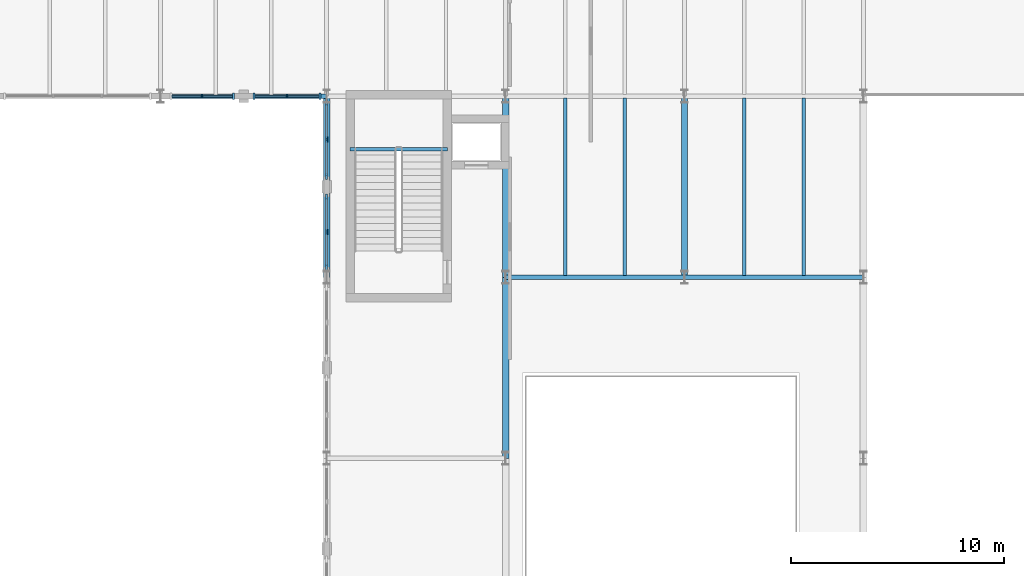
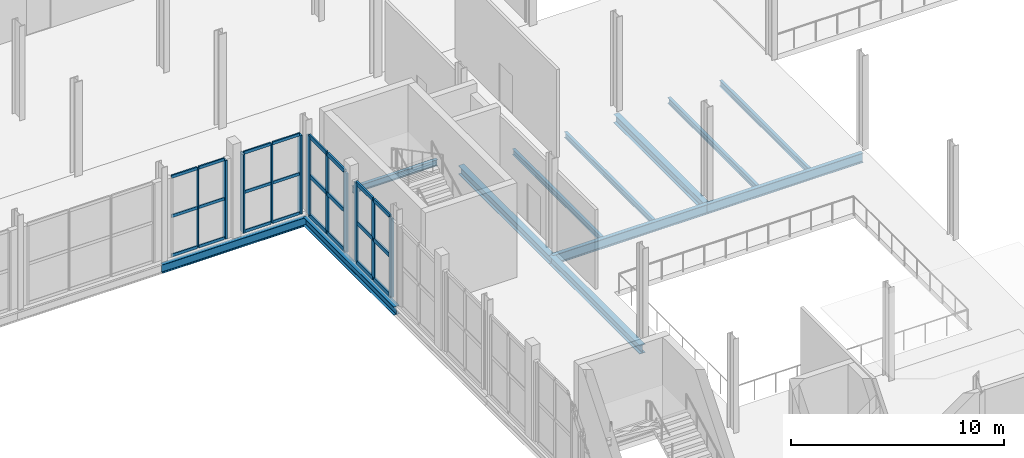
# One storey, part 32 of 78: 35 members, 12 beams, 4 elements without a shape of their own.
"""IFC4 building model written with IfcOpenShell, lengths in metres."""

from ifc_helpers import new_model, si_unit, direction, frame, origin, origin_2d, place, context, subcontext, project, spatial, rectangle, i_section, extrude, material, layer, layer_set, material_profile, profile_set, type_object, element, aggregate, save


model = new_model("IFC4")

# Units and contexts
model_context = context("Model", 3, precision=1e-05, world=origin(), true_north=direction((0.0, 1.0)))
body_context = subcontext(model_context, "Body", "Model", "MODEL_VIEW")
ifc_project = project(units=[si_unit("LENGTHUNIT", "METRE"), si_unit("AREAUNIT", "SQUARE_METRE"), si_unit("VOLUMEUNIT", "CUBIC_METRE"), si_unit("PLANEANGLEUNIT", "RADIAN"), si_unit("MASSUNIT", "GRAM", prefix="KILO")], contexts=[model_context])

# Site, building, storey
site_placement = place(None, origin())
site = spatial("IfcSite", under=ifc_project, at=site_placement, CompositionType="ELEMENT")
building_placement = place(site_placement, origin())
building = spatial("IfcBuilding", under=site, at=building_placement, Name="Sefraquen Railside Congress Hotel", CompositionType="ELEMENT")
storey_placement = place(building_placement, frame((0.0, 0.0, 6.0)))
storey = spatial("IfcBuildingStorey", under=building, at=storey_placement, Name="L01", CompositionType="ELEMENT", Elevation=6.0)

# Beams
ifc_material_1 = material(Name="Steel S355JR", Category="steel")
ifc_material_profile_1 = material_profile(ifc_material_1, i_section(OverallWidth=0.169921875, OverallDepth=0.360107421875, WebThickness=0.008056640625, FlangeThickness=0.0126953125, FilletRadius=0.01806640625, at=origin_2d()), Name="IPE 360")
ifc_profile_set_1 = profile_set([ifc_material_profile_1], Name="Steel S355JR")
beam_type_1 = type_object("IfcBeamType", Name="TB-BM-360", PredefinedType="BEAM", material=ifc_profile_set_1)
beam_1_placement = place(storey_placement, frame((104.300048828125, 85.52001953125, 2.320068359375), z_axis=(1.0, 0.0, 0.0), x_axis=(0.0, 1.0, 0.0)))
element("IfcBeam", 1, at=beam_1_placement, inside=storey, type_object=beam_type_1, Name="Stair ST-M01 L01 mid-landing corbel beam", PredefinedType="BEAM", context=body_context, shape_type="SweptSolid", body=[
    extrude(i_section(OverallWidth=0.169921875, OverallDepth=0.360107421875, WebThickness=0.008056640625, FlangeThickness=0.0126953125, FilletRadius=0.01806640625, at=origin_2d()), origin(), (0.0, 0.0, 1.0), 4.56005859375),
])
ifc_material_profile_2 = material_profile(ifc_material_1, i_section(OverallWidth=0.199951171875, OverallDepth=0.5, WebThickness=0.01025390625, FlangeThickness=0.01611328125, FilletRadius=0.02099609375, at=origin_2d()), Name="IPE 500")
ifc_profile_set_2 = profile_set([ifc_material_profile_2], Name="Steel S355JR")
beam_type_2 = type_object("IfcBeamType", Name="TB-BM-500", PredefinedType="BEAM", material=ifc_profile_set_2)
beam_2_placement = place(storey_placement, frame((95.39990234375, 88.0, -0.550048828125), z_axis=(1.0, 0.0, 0.0), x_axis=(0.0, 1.0, 0.0)))
element("IfcBeam", 2, at=beam_2_placement, inside=storey, type_object=beam_type_2, Name="Primary girder BM-L01-0445", PredefinedType="BEAM", context=body_context, shape_type="SweptSolid", body=[
    extrude(i_section(OverallWidth=0.199951171875, OverallDepth=0.5, WebThickness=0.01025390625, FlangeThickness=0.01611328125, FilletRadius=0.02099609375, at=origin_2d()), origin(), (0.0, 0.0, 1.0), 7.800048828125),
])
ifc_material_profile_3 = material_profile(ifc_material_1, i_section(OverallWidth=0.300048828125, OverallDepth=0.489990234375, WebThickness=0.011962890625, FlangeThickness=0.02294921875, FilletRadius=0.027099609375, at=origin_2d()), Name="HEA 500")
ifc_profile_set_3 = profile_set([ifc_material_profile_3], Name="Steel S355JR")
beam_type_3 = type_object("IfcBeamType", Name="TB-GIR-500", PredefinedType="T_BEAM", material=ifc_profile_set_3)
for number, where, z_axis, x_axis, name in (
    (3, (103.199951171875, 79.5, -0.544921875), (0.0, 1.0, 0.0), (-1.0, 0.0, 0.0), "Floor beam BM-L01-0612"),
    (4, (111.60009765625, 71.0, -0.544921875), (0.0, 1.0, 0.0), (-1.0, 0.0, 0.0), "Floor beam BM-L01-0619"),
    (5, (111.60009765625, 79.5, -0.544921875), (0.0, 1.0, 0.0), (-1.0, 0.0, 0.0), "Floor beam BM-L01-0620"),
    (6, (120.0, 79.5, -0.544921875), (0.0, 1.0, 0.0), (-1.0, 0.0, 0.0), "Floor beam BM-L01-0631"),
):
    element("IfcBeam", number, at=place(storey_placement, frame(where, z_axis=z_axis, x_axis=x_axis)), inside=storey, type_object=beam_type_3, Name=name, PredefinedType="T_BEAM", context=body_context, shape_type="SweptSolid", body=[
        extrude(i_section(OverallWidth=0.300048828125, OverallDepth=0.489990234375, WebThickness=0.011962890625, FlangeThickness=0.02294921875, FilletRadius=0.027099609375, at=origin_2d()), origin(), (0.0, 0.0, 1.0), 8.5),
    ])
ifc_material_profile_4 = material_profile(ifc_material_1, i_section(OverallWidth=0.2099609375, OverallDepth=0.550048828125, WebThickness=0.010986328125, FlangeThickness=0.01708984375, FilletRadius=0.02392578125, at=origin_2d()), Name="IPE 550")
ifc_profile_set_4 = profile_set([ifc_material_profile_4], Name="Steel S355JR")
beam_type_4 = type_object("IfcBeamType", Name="TB-GIR-550", PredefinedType="T_BEAM", material=ifc_profile_set_4)
for number, where, z_axis, x_axis, name in (
    (7, (111.60009765625, 79.5, -0.574951171875), (1.0, 0.0, 0.0), (0.0, 1.0, 0.0), "Primary girder BM-L01-0432"),
    (8, (120.0, 79.5, -0.574951171875), (1.0, 0.0, 0.0), (0.0, 1.0, 0.0), "Primary girder BM-L01-0433"),
):
    element("IfcBeam", number, at=place(storey_placement, frame(where, z_axis=z_axis, x_axis=x_axis)), inside=storey, type_object=beam_type_4, Name=name, PredefinedType="T_BEAM", context=body_context, shape_type="SweptSolid", body=[
        extrude(i_section(OverallWidth=0.2099609375, OverallDepth=0.550048828125, WebThickness=0.010986328125, FlangeThickness=0.01708984375, FilletRadius=0.02392578125, at=origin_2d()), origin(), (0.0, 0.0, 1.0), 8.39990234375),
    ])
ifc_material_profile_5 = material_profile(ifc_material_1, i_section(OverallWidth=0.159912109375, OverallDepth=0.330078125, WebThickness=0.007568359375, FlangeThickness=0.011474609375, FilletRadius=0.01806640625, at=origin_2d()), Name="IPE 330")
ifc_profile_set_5 = profile_set([ifc_material_profile_5], Name="Steel S355JR")
beam_type_5 = type_object("IfcBeamType", Name="TB-JST-330", PredefinedType="JOIST", material=ifc_profile_set_5)
for number, where, z_axis, x_axis, name in (
    (9, (114.39990234375, 79.5849609375, -0.465087890625), (0.0, 1.0, 0.0), (-1.0, 0.0, 0.0), "Composite floor joist BM-L01-J0364"),
    (10, (117.199951171875, 79.5849609375, -0.465087890625), (0.0, 1.0, 0.0), (-1.0, 0.0, 0.0), "Composite floor joist BM-L01-J0365"),
    (11, (122.800048828125, 79.5849609375, -0.465087890625), (0.0, 1.0, 0.0), (-1.0, 0.0, 0.0), "Composite floor joist BM-L01-J0386"),
    (12, (125.60009765625, 79.5849609375, -0.465087890625), (0.0, 1.0, 0.0), (-1.0, 0.0, 0.0), "Composite floor joist BM-L01-J0387"),
):
    element("IfcBeam", number, at=place(storey_placement, frame(where, z_axis=z_axis, x_axis=x_axis)), inside=storey, type_object=beam_type_5, Name=name, PredefinedType="JOIST", context=body_context, shape_type="SweptSolid", body=[
        extrude(i_section(OverallWidth=0.159912109375, OverallDepth=0.330078125, WebThickness=0.007568359375, FlangeThickness=0.011474609375, FilletRadius=0.01806640625, at=origin_2d()), origin(), (0.0, 0.0, 1.0), 8.330078125),
    ])

# Curtain wall, member
ifc_material_2 = material(Name="Thermally broken anodised aluminium and low-E double glazing", Category="aluminium")
ifc_layer_1 = layer(ifc_material_2, 0.199951171875)
ifc_layer_set_1 = layer_set([ifc_layer_1], Name="Thermally broken anodised aluminium and low-E double glazing")
curtain_wall_type_1 = type_object("IfcCurtainWallType", Name="TCW-UCW-12", PredefinedType="USERDEFINED", material=ifc_layer_set_1)
curtain_wall_1_placement = place(storey_placement, origin())
curtain_wall_1 = element("IfcCurtainWall", 13, at=curtain_wall_1_placement, inside=storey, type_object=curtain_wall_type_1, Name="Courtyard north gallery curtain wall L01-3 bay 3", ObjectType="UNITISED CURTAIN WALL", PredefinedType="USERDEFINED")
ifc_material_3 = material(Name="Thermally broken anodised aluminium 6063-T6", Category="aluminium")
ifc_material_profile_6 = material_profile(ifc_material_3, rectangle(XDim=0.06494140625, YDim=0.179931640625, at=origin_2d()), Name="CWM 65x180")
ifc_profile_set_6 = profile_set([ifc_material_profile_6], Name="Thermally broken anodised aluminium 6063-T6")
member_type_1 = type_object("IfcMemberType", Name="TM-CWM-02", PredefinedType="MULLION", material=ifc_profile_set_6)
member_1_placement = place(storey_placement, frame((97.35009765625, 88.0, 0.0), z_axis=(0.0, 0.0, 1.0), x_axis=(1.0, 0.0, 0.0)))
member_1 = element("IfcMember", 14, at=member_1_placement, type_object=member_type_1, Name="CW-L01-044-S3 mullion 2", PredefinedType="MULLION", context=body_context, shape_type="SweptSolid", body=[
    extrude(rectangle(XDim=0.06494140625, YDim=0.179931640625, at=origin_2d()), origin(), (0.0, 0.0, 1.0), 4.5),
])

curtain_wall_2_placement = place(storey_placement, origin())
curtain_wall_2 = element("IfcCurtainWall", 15, at=curtain_wall_2_placement, inside=storey, type_object=curtain_wall_type_1, Name="Courtyard north gallery curtain wall L01-3 bay 4", ObjectType="UNITISED CURTAIN WALL", PredefinedType="USERDEFINED")
member_2_placement = place(storey_placement, frame((101.3349609375, 88.0, 0.0), z_axis=(0.0, 0.0, 1.0), x_axis=(1.0, 0.0, 0.0)))
member_2 = element("IfcMember", 16, at=member_2_placement, type_object=member_type_1, Name="CW-L01-044-S4 mullion 2", PredefinedType="MULLION", context=body_context, shape_type="SweptSolid", body=[
    extrude(rectangle(XDim=0.06494140625, YDim=0.179931640625, at=origin_2d()), origin(), (0.0, 0.0, 1.0), 4.5),
])

ifc_layer_2 = layer(ifc_material_2, 0.199951171875)
ifc_layer_set_2 = layer_set([ifc_layer_2], Name="Thermally broken anodised aluminium and low-E double glazing")
curtain_wall_type_2 = type_object("IfcCurtainWallType", Name="TCW-UCW-16", PredefinedType="USERDEFINED", material=ifc_layer_set_2)
curtain_wall_3_placement = place(storey_placement, origin())
curtain_wall_3 = element("IfcCurtainWall", 17, at=curtain_wall_3_placement, inside=storey, type_object=curtain_wall_type_2, Name="Courtyard east gallery curtain wall L01 bay 3", ObjectType="UNITISED CURTAIN WALL", PredefinedType="USERDEFINED")
ifc_material_profile_7 = material_profile(ifc_material_3, rectangle(XDim=0.0849609375, YDim=0.260009765625, at=origin_2d()), Name="CWM 85x260")
ifc_profile_set_7 = profile_set([ifc_material_profile_7], Name="Thermally broken anodised aluminium 6063-T6")
member_type_2 = type_object("IfcMemberType", Name="TM-CWM-06", PredefinedType="MULLION", material=ifc_profile_set_7)
member_3_placement = place(storey_placement, frame((103.199951171875, 81.625, 0.0), z_axis=(0.0, 0.0, 1.0), x_axis=(1.0, 0.0, 0.0)))
member_3 = element("IfcMember", 18, at=member_3_placement, type_object=member_type_2, Name="CW-L01-048-S3 mullion 2", PredefinedType="MULLION", context=body_context, shape_type="SweptSolid", body=[
    extrude(rectangle(XDim=0.0849609375, YDim=0.260009765625, at=origin_2d()), origin(), (0.0, 0.0, 1.0), 4.5),
])

curtain_wall_4_placement = place(storey_placement, origin())
curtain_wall_4 = element("IfcCurtainWall", 19, at=curtain_wall_4_placement, inside=storey, type_object=curtain_wall_type_2, Name="Courtyard east gallery curtain wall L01 bay 4", ObjectType="UNITISED CURTAIN WALL", PredefinedType="USERDEFINED")
member_4_placement = place(storey_placement, frame((103.199951171875, 85.9599609375, 0.0), z_axis=(0.0, 0.0, 1.0), x_axis=(1.0, 0.0, 0.0)))
member_4 = element("IfcMember", 20, at=member_4_placement, type_object=member_type_2, Name="CW-L01-048-S4 mullion 2", PredefinedType="MULLION", context=body_context, shape_type="SweptSolid", body=[
    extrude(rectangle(XDim=0.0849609375, YDim=0.260009765625, at=origin_2d()), origin(), (0.0, 0.0, 1.0), 4.5),
])

# Member
ifc_material_profile_8 = material_profile(ifc_material_3, rectangle(XDim=0.094970703125, YDim=0.300048828125, at=origin_2d()), Name="CWM 95x300")
ifc_profile_set_8 = profile_set([ifc_material_profile_8], Name="Thermally broken anodised aluminium 6063-T6")
member_type_3 = type_object("IfcMemberType", Name="TM-CWM-08", PredefinedType="MULLION", material=ifc_profile_set_8)
member_5_placement = place(storey_placement, frame((98.820068359375, 88.0, 0.0), z_axis=(0.0, 0.0, 1.0), x_axis=(1.0, 0.0, 0.0)))
member_5 = element("IfcMember", 21, at=member_5_placement, type_object=member_type_3, Name="CW-L01-044-S3 mullion 3", PredefinedType="MULLION", context=body_context, shape_type="SweptSolid", body=[
    extrude(rectangle(XDim=0.094970703125, YDim=0.300048828125, at=origin_2d()), origin(), (0.0, 0.0, 1.0), 4.5),
])

member_6_placement = place(storey_placement, frame((99.780029296875, 88.0, 0.0), z_axis=(0.0, 0.0, 1.0), x_axis=(1.0, 0.0, 0.0)))
member_6 = element("IfcMember", 22, at=member_6_placement, type_object=member_type_3, Name="CW-L01-044-S4 mullion 1", PredefinedType="MULLION", context=body_context, shape_type="SweptSolid", body=[
    extrude(rectangle(XDim=0.094970703125, YDim=0.300048828125, at=origin_2d()), origin(), (0.0, 0.0, 1.0), 4.5),
])

member_7_placement = place(storey_placement, frame((102.889892578125, 88.0, 0.0), z_axis=(0.0, 0.0, 1.0), x_axis=(1.0, 0.0, 0.0)))
member_7 = element("IfcMember", 23, at=member_7_placement, type_object=member_type_3, Name="CW-L01-044-S4 mullion 3", PredefinedType="MULLION", context=body_context, shape_type="SweptSolid", body=[
    extrude(rectangle(XDim=0.094970703125, YDim=0.300048828125, at=origin_2d()), origin(), (0.0, 0.0, 1.0), 4.5),
])

member_8_placement = place(storey_placement, frame((103.199951171875, 79.97998046875, 0.0), z_axis=(0.0, 0.0, 1.0), x_axis=(1.0, 0.0, 0.0)))
member_8 = element("IfcMember", 24, at=member_8_placement, type_object=member_type_3, Name="CW-L01-048-S3 mullion 1", PredefinedType="MULLION", context=body_context, shape_type="SweptSolid", body=[
    extrude(rectangle(XDim=0.094970703125, YDim=0.300048828125, at=origin_2d()), origin(), (0.0, 0.0, 1.0), 4.5),
])

member_9_placement = place(storey_placement, frame((103.199951171875, 83.27001953125, 0.0), z_axis=(0.0, 0.0, 1.0), x_axis=(1.0, 0.0, 0.0)))
member_9 = element("IfcMember", 25, at=member_9_placement, type_object=member_type_3, Name="CW-L01-048-S3 mullion 3", PredefinedType="MULLION", context=body_context, shape_type="SweptSolid", body=[
    extrude(rectangle(XDim=0.094970703125, YDim=0.300048828125, at=origin_2d()), origin(), (0.0, 0.0, 1.0), 4.5),
])

member_10_placement = place(storey_placement, frame((103.199951171875, 84.22998046875, 0.0), z_axis=(0.0, 0.0, 1.0), x_axis=(1.0, 0.0, 0.0)))
member_10 = element("IfcMember", 26, at=member_10_placement, type_object=member_type_3, Name="CW-L01-048-S4 mullion 1", PredefinedType="MULLION", context=body_context, shape_type="SweptSolid", body=[
    extrude(rectangle(XDim=0.094970703125, YDim=0.300048828125, at=origin_2d()), origin(), (0.0, 0.0, 1.0), 4.5),
])

member_11_placement = place(storey_placement, frame((103.199951171875, 87.68994140625, 0.0), z_axis=(0.0, 0.0, 1.0), x_axis=(1.0, 0.0, 0.0)))
member_11 = element("IfcMember", 27, at=member_11_placement, type_object=member_type_3, Name="CW-L01-048-S4 mullion 3", PredefinedType="MULLION", context=body_context, shape_type="SweptSolid", body=[
    extrude(rectangle(XDim=0.094970703125, YDim=0.300048828125, at=origin_2d()), origin(), (0.0, 0.0, 1.0), 4.5),
])

ifc_material_profile_9 = material_profile(ifc_material_3, rectangle(XDim=0.074951171875, YDim=0.1650390625, at=origin_2d()), Name="CWT 75x165")
ifc_profile_set_9 = profile_set([ifc_material_profile_9], Name="Thermally broken anodised aluminium 6063-T6")
member_type_4 = type_object("IfcMemberType", Name="TM-CWT-04", PredefinedType="USERDEFINED", material=ifc_profile_set_9)
member_12_placement = place(storey_placement, frame((95.925048828125, 88.0, 0.0), z_axis=(1.0, 0.0, 0.0), x_axis=(0.0, 1.0, 0.0)))
member_12 = element("IfcMember", 28, at=member_12_placement, type_object=member_type_4, Name="CW-L01-044-S3 transom 1.1", ObjectType="TRANSOM", PredefinedType="USERDEFINED", context=body_context, shape_type="SweptSolid", body=[
    extrude(rectangle(XDim=0.074951171875, YDim=0.1650390625, at=origin_2d()), origin(), (0.0, 0.0, 1.0), 1.3798828125),
])

member_13_placement = place(storey_placement, frame((97.39501953125, 88.0, 0.0), z_axis=(1.0, 0.0, 0.0), x_axis=(0.0, 1.0, 0.0)))
member_13 = element("IfcMember", 29, at=member_13_placement, type_object=member_type_4, Name="CW-L01-044-S3 transom 1.2", ObjectType="TRANSOM", PredefinedType="USERDEFINED", context=body_context, shape_type="SweptSolid", body=[
    extrude(rectangle(XDim=0.074951171875, YDim=0.1650390625, at=origin_2d()), origin(), (0.0, 0.0, 1.0), 1.3798828125),
])

member_14_placement = place(storey_placement, frame((95.925048828125, 88.0, 2.25), z_axis=(1.0, 0.0, 0.0), x_axis=(0.0, 1.0, 0.0)))
member_14 = element("IfcMember", 30, at=member_14_placement, type_object=member_type_4, Name="CW-L01-044-S3 transom 2.1", ObjectType="TRANSOM", PredefinedType="USERDEFINED", context=body_context, shape_type="SweptSolid", body=[
    extrude(rectangle(XDim=0.074951171875, YDim=0.1650390625, at=origin_2d()), origin(), (0.0, 0.0, 1.0), 1.3798828125),
])

member_15_placement = place(storey_placement, frame((97.39501953125, 88.0, 2.25), z_axis=(1.0, 0.0, 0.0), x_axis=(0.0, 1.0, 0.0)))
member_15 = element("IfcMember", 31, at=member_15_placement, type_object=member_type_4, Name="CW-L01-044-S3 transom 2.2", ObjectType="TRANSOM", PredefinedType="USERDEFINED", context=body_context, shape_type="SweptSolid", body=[
    extrude(rectangle(XDim=0.074951171875, YDim=0.1650390625, at=origin_2d()), origin(), (0.0, 0.0, 1.0), 1.3798828125),
])

member_16_placement = place(storey_placement, frame((95.925048828125, 88.0, 4.5), z_axis=(1.0, 0.0, 0.0), x_axis=(0.0, 1.0, 0.0)))
member_16 = element("IfcMember", 32, at=member_16_placement, type_object=member_type_4, Name="CW-L01-044-S3 transom 3.1", ObjectType="TRANSOM", PredefinedType="USERDEFINED", context=body_context, shape_type="SweptSolid", body=[
    extrude(rectangle(XDim=0.074951171875, YDim=0.1650390625, at=origin_2d()), origin(), (0.0, 0.0, 1.0), 1.3798828125),
])

member_17_placement = place(storey_placement, frame((97.39501953125, 88.0, 4.5), z_axis=(1.0, 0.0, 0.0), x_axis=(0.0, 1.0, 0.0)))
member_17 = element("IfcMember", 33, at=member_17_placement, type_object=member_type_4, Name="CW-L01-044-S3 transom 3.2", ObjectType="TRANSOM", PredefinedType="USERDEFINED", context=body_context, shape_type="SweptSolid", body=[
    extrude(rectangle(XDim=0.074951171875, YDim=0.1650390625, at=origin_2d()), origin(), (0.0, 0.0, 1.0), 1.3798828125),
])

aggregate(curtain_wall_1, [member_1, member_5, member_12, member_13, member_14, member_15, member_16, member_17])

member_18_placement = place(storey_placement, frame((99.824951171875, 88.0, 0.0), z_axis=(1.0, 0.0, 0.0), x_axis=(0.0, 1.0, 0.0)))
member_18 = element("IfcMember", 34, at=member_18_placement, type_object=member_type_4, Name="CW-L01-044-S4 transom 1.1", ObjectType="TRANSOM", PredefinedType="USERDEFINED", context=body_context, shape_type="SweptSolid", body=[
    extrude(rectangle(XDim=0.074951171875, YDim=0.1650390625, at=origin_2d()), origin(), (0.0, 0.0, 1.0), 1.465087890625),
])

member_19_placement = place(storey_placement, frame((101.3798828125, 88.0, 0.0), z_axis=(1.0, 0.0, 0.0), x_axis=(0.0, 1.0, 0.0)))
member_19 = element("IfcMember", 35, at=member_19_placement, type_object=member_type_4, Name="CW-L01-044-S4 transom 1.2", ObjectType="TRANSOM", PredefinedType="USERDEFINED", context=body_context, shape_type="SweptSolid", body=[
    extrude(rectangle(XDim=0.074951171875, YDim=0.1650390625, at=origin_2d()), origin(), (0.0, 0.0, 1.0), 1.465087890625),
])

member_20_placement = place(storey_placement, frame((99.824951171875, 88.0, 2.25), z_axis=(1.0, 0.0, 0.0), x_axis=(0.0, 1.0, 0.0)))
member_20 = element("IfcMember", 36, at=member_20_placement, type_object=member_type_4, Name="CW-L01-044-S4 transom 2.1", ObjectType="TRANSOM", PredefinedType="USERDEFINED", context=body_context, shape_type="SweptSolid", body=[
    extrude(rectangle(XDim=0.074951171875, YDim=0.1650390625, at=origin_2d()), origin(), (0.0, 0.0, 1.0), 1.465087890625),
])

member_21_placement = place(storey_placement, frame((101.3798828125, 88.0, 2.25), z_axis=(1.0, 0.0, 0.0), x_axis=(0.0, 1.0, 0.0)))
member_21 = element("IfcMember", 37, at=member_21_placement, type_object=member_type_4, Name="CW-L01-044-S4 transom 2.2", ObjectType="TRANSOM", PredefinedType="USERDEFINED", context=body_context, shape_type="SweptSolid", body=[
    extrude(rectangle(XDim=0.074951171875, YDim=0.1650390625, at=origin_2d()), origin(), (0.0, 0.0, 1.0), 1.465087890625),
])

member_22_placement = place(storey_placement, frame((99.824951171875, 88.0, 4.5), z_axis=(1.0, 0.0, 0.0), x_axis=(0.0, 1.0, 0.0)))
member_22 = element("IfcMember", 38, at=member_22_placement, type_object=member_type_4, Name="CW-L01-044-S4 transom 3.1", ObjectType="TRANSOM", PredefinedType="USERDEFINED", context=body_context, shape_type="SweptSolid", body=[
    extrude(rectangle(XDim=0.074951171875, YDim=0.1650390625, at=origin_2d()), origin(), (0.0, 0.0, 1.0), 1.465087890625),
])

member_23_placement = place(storey_placement, frame((101.3798828125, 88.0, 4.5), z_axis=(1.0, 0.0, 0.0), x_axis=(0.0, 1.0, 0.0)))
member_23 = element("IfcMember", 39, at=member_23_placement, type_object=member_type_4, Name="CW-L01-044-S4 transom 3.2", ObjectType="TRANSOM", PredefinedType="USERDEFINED", context=body_context, shape_type="SweptSolid", body=[
    extrude(rectangle(XDim=0.074951171875, YDim=0.1650390625, at=origin_2d()), origin(), (0.0, 0.0, 1.0), 1.465087890625),
])

aggregate(curtain_wall_2, [member_6, member_2, member_7, member_18, member_19, member_20, member_21, member_22, member_23])

ifc_material_profile_10 = material_profile(ifc_material_3, rectangle(XDim=0.094970703125, YDim=0.22509765625, at=origin_2d()), Name="CWT 95x225")
ifc_profile_set_10 = profile_set([ifc_material_profile_10], Name="Thermally broken anodised aluminium 6063-T6")
member_type_5 = type_object("IfcMemberType", Name="TM-CWT-08", PredefinedType="USERDEFINED", material=ifc_profile_set_10)
member_24_placement = place(storey_placement, frame((103.199951171875, 80.02490234375, 0.0), z_axis=(0.0, 1.0, 0.0), x_axis=(-1.0, 0.0, 0.0)))
member_24 = element("IfcMember", 40, at=member_24_placement, type_object=member_type_5, Name="CW-L01-048-S3 transom 1.1", ObjectType="TRANSOM", PredefinedType="USERDEFINED", context=body_context, shape_type="SweptSolid", body=[
    extrude(rectangle(XDim=0.094970703125, YDim=0.22509765625, at=origin_2d()), origin(), (0.0, 0.0, 1.0), 1.55517578125),
])

member_25_placement = place(storey_placement, frame((103.199951171875, 81.669921875, 0.0), z_axis=(0.0, 1.0, 0.0), x_axis=(-1.0, 0.0, 0.0)))
member_25 = element("IfcMember", 41, at=member_25_placement, type_object=member_type_5, Name="CW-L01-048-S3 transom 1.2", ObjectType="TRANSOM", PredefinedType="USERDEFINED", context=body_context, shape_type="SweptSolid", body=[
    extrude(rectangle(XDim=0.094970703125, YDim=0.22509765625, at=origin_2d()), origin(), (0.0, 0.0, 1.0), 1.55517578125),
])

member_26_placement = place(storey_placement, frame((103.199951171875, 80.02490234375, 2.25), z_axis=(0.0, 1.0, 0.0), x_axis=(-1.0, 0.0, 0.0)))
member_26 = element("IfcMember", 42, at=member_26_placement, type_object=member_type_5, Name="CW-L01-048-S3 transom 2.1", ObjectType="TRANSOM", PredefinedType="USERDEFINED", context=body_context, shape_type="SweptSolid", body=[
    extrude(rectangle(XDim=0.094970703125, YDim=0.22509765625, at=origin_2d()), origin(), (0.0, 0.0, 1.0), 1.55517578125),
])

member_27_placement = place(storey_placement, frame((103.199951171875, 81.669921875, 2.25), z_axis=(0.0, 1.0, 0.0), x_axis=(-1.0, 0.0, 0.0)))
member_27 = element("IfcMember", 43, at=member_27_placement, type_object=member_type_5, Name="CW-L01-048-S3 transom 2.2", ObjectType="TRANSOM", PredefinedType="USERDEFINED", context=body_context, shape_type="SweptSolid", body=[
    extrude(rectangle(XDim=0.094970703125, YDim=0.22509765625, at=origin_2d()), origin(), (0.0, 0.0, 1.0), 1.55517578125),
])

member_28_placement = place(storey_placement, frame((103.199951171875, 80.02490234375, 4.5), z_axis=(0.0, 1.0, 0.0), x_axis=(-1.0, 0.0, 0.0)))
member_28 = element("IfcMember", 44, at=member_28_placement, type_object=member_type_5, Name="CW-L01-048-S3 transom 3.1", ObjectType="TRANSOM", PredefinedType="USERDEFINED", context=body_context, shape_type="SweptSolid", body=[
    extrude(rectangle(XDim=0.094970703125, YDim=0.22509765625, at=origin_2d()), origin(), (0.0, 0.0, 1.0), 1.55517578125),
])

member_29_placement = place(storey_placement, frame((103.199951171875, 81.669921875, 4.5), z_axis=(0.0, 1.0, 0.0), x_axis=(-1.0, 0.0, 0.0)))
member_29 = element("IfcMember", 45, at=member_29_placement, type_object=member_type_5, Name="CW-L01-048-S3 transom 3.2", ObjectType="TRANSOM", PredefinedType="USERDEFINED", context=body_context, shape_type="SweptSolid", body=[
    extrude(rectangle(XDim=0.094970703125, YDim=0.22509765625, at=origin_2d()), origin(), (0.0, 0.0, 1.0), 1.55517578125),
])

aggregate(curtain_wall_3, [member_8, member_3, member_9, member_24, member_25, member_26, member_27, member_28, member_29])

member_30_placement = place(storey_placement, frame((103.199951171875, 84.27490234375, 0.0), z_axis=(0.0, 1.0, 0.0), x_axis=(-1.0, 0.0, 0.0)))
member_30 = element("IfcMember", 46, at=member_30_placement, type_object=member_type_5, Name="CW-L01-048-S4 transom 1.1", ObjectType="TRANSOM", PredefinedType="USERDEFINED", context=body_context, shape_type="SweptSolid", body=[
    extrude(rectangle(XDim=0.094970703125, YDim=0.22509765625, at=origin_2d()), origin(), (0.0, 0.0, 1.0), 1.64013671875),
])

member_31_placement = place(storey_placement, frame((103.199951171875, 86.0048828125, 0.0), z_axis=(0.0, 1.0, 0.0), x_axis=(-1.0, 0.0, 0.0)))
member_31 = element("IfcMember", 47, at=member_31_placement, type_object=member_type_5, Name="CW-L01-048-S4 transom 1.2", ObjectType="TRANSOM", PredefinedType="USERDEFINED", context=body_context, shape_type="SweptSolid", body=[
    extrude(rectangle(XDim=0.094970703125, YDim=0.22509765625, at=origin_2d()), origin(), (0.0, 0.0, 1.0), 1.64013671875),
])

member_32_placement = place(storey_placement, frame((103.199951171875, 84.27490234375, 2.25), z_axis=(0.0, 1.0, 0.0), x_axis=(-1.0, 0.0, 0.0)))
member_32 = element("IfcMember", 48, at=member_32_placement, type_object=member_type_5, Name="CW-L01-048-S4 transom 2.1", ObjectType="TRANSOM", PredefinedType="USERDEFINED", context=body_context, shape_type="SweptSolid", body=[
    extrude(rectangle(XDim=0.094970703125, YDim=0.22509765625, at=origin_2d()), origin(), (0.0, 0.0, 1.0), 1.64013671875),
])

member_33_placement = place(storey_placement, frame((103.199951171875, 86.0048828125, 2.25), z_axis=(0.0, 1.0, 0.0), x_axis=(-1.0, 0.0, 0.0)))
member_33 = element("IfcMember", 49, at=member_33_placement, type_object=member_type_5, Name="CW-L01-048-S4 transom 2.2", ObjectType="TRANSOM", PredefinedType="USERDEFINED", context=body_context, shape_type="SweptSolid", body=[
    extrude(rectangle(XDim=0.094970703125, YDim=0.22509765625, at=origin_2d()), origin(), (0.0, 0.0, 1.0), 1.64013671875),
])

member_34_placement = place(storey_placement, frame((103.199951171875, 84.27490234375, 4.5), z_axis=(0.0, 1.0, 0.0), x_axis=(-1.0, 0.0, 0.0)))
member_34 = element("IfcMember", 50, at=member_34_placement, type_object=member_type_5, Name="CW-L01-048-S4 transom 3.1", ObjectType="TRANSOM", PredefinedType="USERDEFINED", context=body_context, shape_type="SweptSolid", body=[
    extrude(rectangle(XDim=0.094970703125, YDim=0.22509765625, at=origin_2d()), origin(), (0.0, 0.0, 1.0), 1.64013671875),
])

member_35_placement = place(storey_placement, frame((103.199951171875, 86.0048828125, 4.5), z_axis=(0.0, 1.0, 0.0), x_axis=(-1.0, 0.0, 0.0)))
member_35 = element("IfcMember", 51, at=member_35_placement, type_object=member_type_5, Name="CW-L01-048-S4 transom 3.2", ObjectType="TRANSOM", PredefinedType="USERDEFINED", context=body_context, shape_type="SweptSolid", body=[
    extrude(rectangle(XDim=0.094970703125, YDim=0.22509765625, at=origin_2d()), origin(), (0.0, 0.0, 1.0), 1.64013671875),
])

aggregate(curtain_wall_4, [member_10, member_4, member_11, member_30, member_31, member_32, member_33, member_34, member_35])

save(model, "model.ifc")
